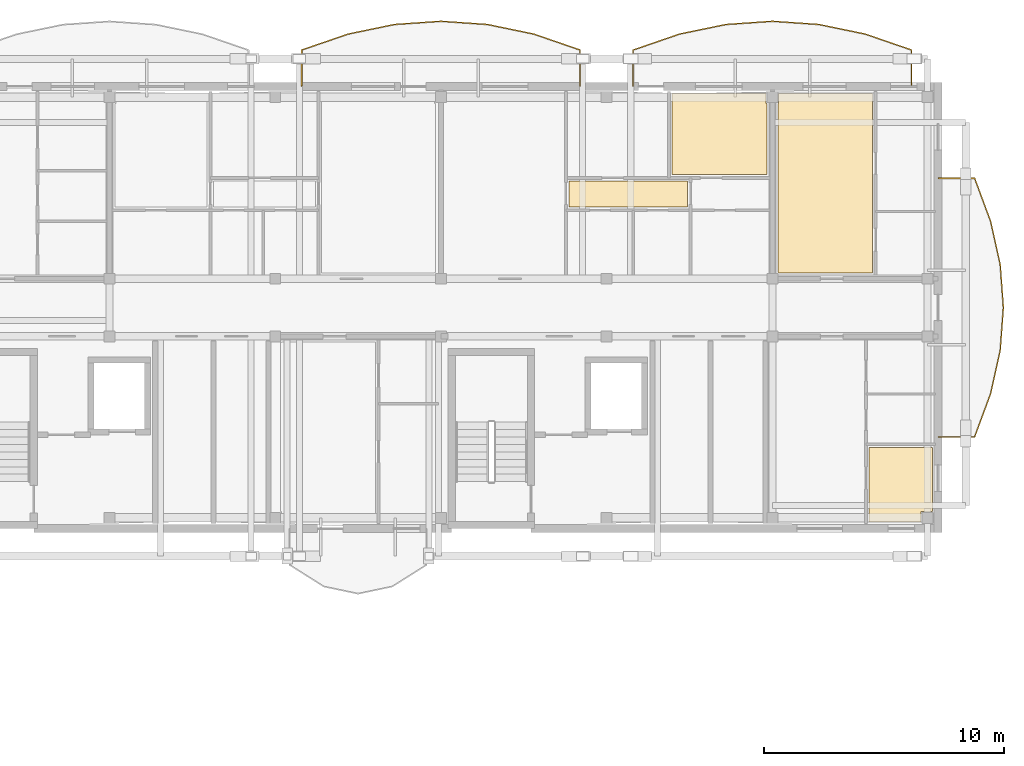
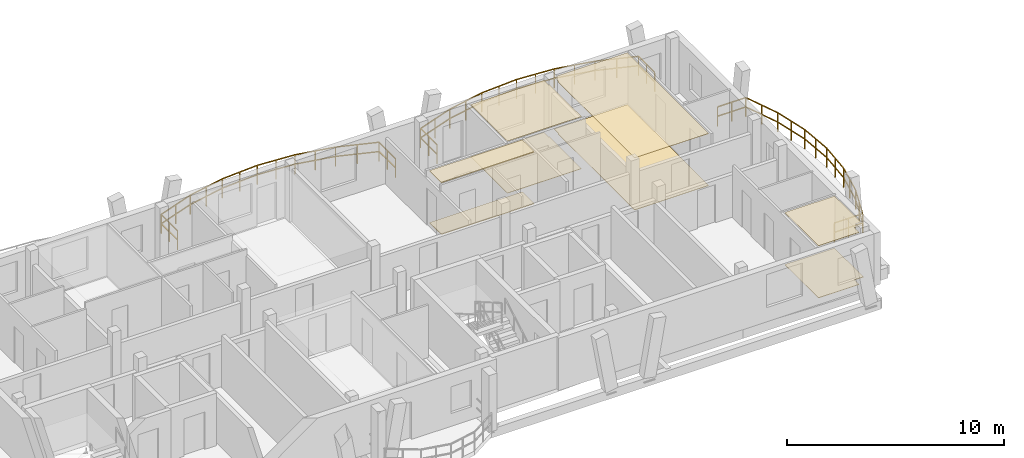
# One storey, part 44 of 44: 8 coverings, 3 railings.
"""IFC4 building model written with IfcOpenShell, lengths in metres."""

from ifc_helpers import new_model, si_unit, direction, frame, origin, origin_2d, place, context, subcontext, project, spatial, polyline, rectangle, outline, extrude, material, layer, layer_set, type_object, element, save


model = new_model("IFC4")

# Units and contexts
model_context = context("Model", 3, precision=1e-05, world=origin(), true_north=direction((0.0, 1.0)))
body_context = subcontext(model_context, "Body", "Model", "MODEL_VIEW")
ifc_project = project(units=[si_unit("LENGTHUNIT", "METRE"), si_unit("AREAUNIT", "SQUARE_METRE"), si_unit("VOLUMEUNIT", "CUBIC_METRE"), si_unit("PLANEANGLEUNIT", "RADIAN"), si_unit("MASSUNIT", "GRAM", prefix="KILO")], contexts=[model_context])

# Site, building, storey
site_placement = place(None, origin())
site = spatial("IfcSite", under=ifc_project, at=site_placement, CompositionType="ELEMENT")
building_placement = place(site_placement, origin())
building = spatial("IfcBuilding", under=site, at=building_placement, Name="Zavelmont Quarter", CompositionType="ELEMENT")
storey_placement = place(building_placement, frame((0.0, 0.0, 20.800048828125)))
storey = spatial("IfcBuildingStorey", under=building, at=storey_placement, Name="L06", CompositionType="ELEMENT", Elevation=20.800048828125)

# Coverings
ifc_material_1 = material(Name="Perforated acoustic gypsum board")
ifc_layer_1 = layer(ifc_material_1, 0.02490234375)
ifc_layer_set_1 = layer_set([ifc_layer_1], Name="Perforated acoustic gypsum board")
covering_type_1 = type_object("IfcCoveringType", Name="CV-CL01", PredefinedType="CEILING", material=ifc_layer_set_1)
covering_1_placement = place(storey_placement, frame((0.0, 0.0, 2.925048828125)))
element("IfcCovering", 1, at=covering_1_placement, inside=storey, type_object=covering_type_1, Name="L06 Double Bedroom acoustic ceiling", PredefinedType="CEILING", context=body_context, shape_type="SweptSolid", body=[
    extrude(outline(polyline([(156.929931640625, 115.719970703125), (160.8349609375, 115.719970703125), (160.8349609375, 115.294921875), (160.8701171875, 115.294921875), (160.8701171875, 112.330078125), (156.929931640625, 112.330078125), (156.929931640625, 115.719970703125)])), origin(), (0.0, 0.0, 1.0), 0.02490234375),
])
covering_2_placement = place(storey_placement, frame((0.0, 0.0, 2.925048828125)))
element("IfcCovering", 2, at=covering_2_placement, inside=storey, type_object=covering_type_1, Name="L06 Residents Study Lounge acoustic ceiling", PredefinedType="CEILING", context=body_context, shape_type="SweptSolid", body=[
    extrude(outline(polyline([(161.330078125, 115.294921875), (161.364990234375, 115.294921875), (161.364990234375, 115.719970703125), (165.27001953125, 115.719970703125), (165.27001953125, 108.22998046875), (161.364990234375, 108.22998046875), (161.364990234375, 108.264892578125), (161.330078125, 108.264892578125), (161.330078125, 115.294921875)])), origin(), (0.0, 0.0, 1.0), 0.02490234375),
])
covering_3_placement = place(storey_placement, frame((0.0, 0.0, 2.925048828125)))
element("IfcCovering", 3, at=covering_3_placement, inside=storey, type_object=covering_type_1, Name="L06 Single Bedroom acoustic ceiling", PredefinedType="CEILING", context=body_context, shape_type="SweptSolid", body=[
    extrude(outline(polyline([(165.1298828125, 100.969970703125), (167.77001953125, 100.969970703125), (167.77001953125, 98.304931640625), (167.294921875, 98.304931640625), (167.294921875, 97.8798828125), (165.1298828125, 97.8798828125), (165.1298828125, 100.969970703125)])), origin(), (0.0, 0.0, 1.0), 0.02490234375),
])
ifc_material_2 = material(Name="Slatted European ash acoustic baffle ceiling")
ifc_layer_2 = layer(ifc_material_2, 0.0400390625)
ifc_layer_set_2 = layer_set([ifc_layer_2], Name="Slatted European ash acoustic baffle ceiling")
covering_type_2 = type_object("IfcCoveringType", Name="CV-CL02", PredefinedType="CEILING", material=ifc_layer_set_2)
covering_4_placement = place(storey_placement, frame((0.0, 0.0, 2.909912109375)))
element("IfcCovering", 4, at=covering_4_placement, inside=storey, type_object=covering_type_2, Name="L06 Apartment Hall acoustic ceiling", PredefinedType="CEILING", context=body_context, shape_type="SweptSolid", body=[
    extrude(outline(polyline([(152.6298828125, 112.070068359375), (157.570068359375, 112.070068359375), (157.570068359375, 110.97998046875), (152.6298828125, 110.97998046875), (152.6298828125, 112.070068359375)])), origin(), (0.0, 0.0, 1.0), 0.0400390625),
])
ifc_material_3 = material(Name="Engineered European oak parquet")
ifc_layer_3 = layer(ifc_material_3, 0.02197265625)
ifc_layer_set_3 = layer_set([ifc_layer_3], Name="Engineered European oak parquet")
covering_type_3 = type_object("IfcCoveringType", Name="CV-FL01", PredefinedType="FLOORING", material=ifc_layer_set_3)
covering_5_placement = place(storey_placement, origin())
element("IfcCovering", 5, at=covering_5_placement, inside=storey, type_object=covering_type_3, Name="L06 Double Bedroom floor finish", PredefinedType="FLOORING", context=body_context, shape_type="SweptSolid", body=[
    extrude(outline(polyline([(156.929931640625, 115.719970703125), (160.8349609375, 115.719970703125), (160.8349609375, 115.294921875), (160.8701171875, 115.294921875), (160.8701171875, 112.330078125), (156.929931640625, 112.330078125), (156.929931640625, 115.719970703125)])), origin(), (0.0, 0.0, 1.0), 0.02197265625),
])
covering_6_placement = place(storey_placement, origin())
element("IfcCovering", 6, at=covering_6_placement, inside=storey, type_object=covering_type_3, Name="L06 Residents Study Lounge floor finish", PredefinedType="FLOORING", context=body_context, shape_type="SweptSolid", body=[
    extrude(outline(polyline([(161.330078125, 115.294921875), (161.364990234375, 115.294921875), (161.364990234375, 115.719970703125), (165.27001953125, 115.719970703125), (165.27001953125, 108.22998046875), (161.364990234375, 108.22998046875), (161.364990234375, 108.264892578125), (161.330078125, 108.264892578125), (161.330078125, 115.294921875)])), origin(), (0.0, 0.0, 1.0), 0.02197265625),
])
covering_7_placement = place(storey_placement, origin())
element("IfcCovering", 7, at=covering_7_placement, inside=storey, type_object=covering_type_3, Name="L06 Single Bedroom floor finish", PredefinedType="FLOORING", context=body_context, shape_type="SweptSolid", body=[
    extrude(outline(polyline([(165.1298828125, 100.969970703125), (167.77001953125, 100.969970703125), (167.77001953125, 98.304931640625), (167.294921875, 98.304931640625), (167.294921875, 97.8798828125), (165.1298828125, 97.8798828125), (165.1298828125, 100.969970703125)])), origin(), (0.0, 0.0, 1.0), 0.02197265625),
])
ifc_material_4 = material(Name="Honed Belgian bluestone tile", Category="masonry")
ifc_layer_4 = layer(ifc_material_4, 0.030029296875)
ifc_layer_set_4 = layer_set([ifc_layer_4], Name="Honed Belgian bluestone tile")
covering_type_4 = type_object("IfcCoveringType", Name="CV-FL02", PredefinedType="FLOORING", material=ifc_layer_set_4)
covering_8_placement = place(storey_placement, origin())
element("IfcCovering", 8, at=covering_8_placement, inside=storey, type_object=covering_type_4, Name="L06 Apartment Hall floor finish", PredefinedType="FLOORING", context=body_context, shape_type="SweptSolid", body=[
    extrude(outline(polyline([(152.6298828125, 112.070068359375), (157.570068359375, 112.070068359375), (157.570068359375, 110.97998046875), (152.6298828125, 110.97998046875), (152.6298828125, 112.070068359375)])), origin(), (0.0, 0.0, 1.0), 0.030029296875),
])

# Railings
ifc_material_5 = material(Name="Powder-coated steel and tempered double safety glass", Category="steel")
railing_type = type_object("IfcRailingType", Name="RL-BAL1", PredefinedType="BALUSTRADE", material=ifc_material_5)
railing_1_placement = place(storey_placement, frame((153.09619140625, 116.02001953125, 0.0)))
element("IfcRailing", 9, at=railing_1_placement, inside=storey, type_object=railing_type, Name="L06 Block C curved balcony guard RL-BAL1", PredefinedType="BALUSTRADE", context=body_context, shape_type="SweptSolid", body=[
    extrude(rectangle(XDim=0.048095703125, YDim=0.048095703125, at=origin_2d()), frame((0.0, 0.0, 1.076171875), z_axis=(0.0, 1.0, 0.0), x_axis=(-1.0, 0.0, 0.0)), (0.0, 0.0, 1.0), 1.503662109375),
    extrude(rectangle(XDim=0.048095703125, YDim=0.048095703125, at=origin_2d()), frame((0.0, 0.0, 0.550048828125), z_axis=(0.0, 1.0, 0.0), x_axis=(-1.0, 0.0, 0.0)), (0.0, 0.0, 1.0), 1.503662109375),
    extrude(rectangle(XDim=0.048095703125, YDim=0.048095703125, at=origin_2d()), frame((0.0, 1.503662109375, 1.076171875), z_axis=(-0.945518896727, 0.325567221832, 0.0), x_axis=(-0.325567221832, -0.945518896727, 0.0)), (0.0, 0.0, 1.0), 2.04345703125),
    extrude(rectangle(XDim=0.048095703125, YDim=0.048095703125, at=origin_2d()), frame((0.0, 1.503662109375, 0.550048828125), z_axis=(-0.945518896727, 0.325567221832, 0.0), x_axis=(-0.325567221832, -0.945518896727, 0.0)), (0.0, 0.0, 1.0), 2.04345703125),
    extrude(rectangle(XDim=0.048095703125, YDim=0.048095703125, at=origin_2d()), frame((-1.93212890625, 2.1689453125, 1.076171875), z_axis=(-0.979343306548, 0.202204569484, 0.0), x_axis=(-0.202204569484, -0.979343306548, 0.0)), (0.0, 0.0, 1.0), 1.972900390625),
    extrude(rectangle(XDim=0.048095703125, YDim=0.048095703125, at=origin_2d()), frame((-1.93212890625, 2.1689453125, 0.550048828125), z_axis=(-0.979343306548, 0.202204569484, 0.0), x_axis=(-0.202204569484, -0.979343306548, 0.0)), (0.0, 0.0, 1.0), 1.972900390625),
    extrude(rectangle(XDim=0.048095703125, YDim=0.048095703125, at=origin_2d()), frame((-3.8642578125, 2.56787109375, 1.076171875), z_axis=(-0.997636590767, 0.068711227343, 0.0), x_axis=(-0.068711227343, -0.997636590767, 0.0)), (0.0, 0.0, 1.0), 1.9365234375),
    extrude(rectangle(XDim=0.048095703125, YDim=0.048095703125, at=origin_2d()), frame((-3.8642578125, 2.56787109375, 0.550048828125), z_axis=(-0.997636590767, 0.068711227343, 0.0), x_axis=(-0.068711227343, -0.997636590767, 0.0)), (0.0, 0.0, 1.0), 1.9365234375),
    extrude(rectangle(XDim=0.048095703125, YDim=0.048095703125, at=origin_2d()), frame((-5.796142578125, 2.700927734375, 1.076171875), z_axis=(-0.997637185887, -0.068702586089, 0.0), x_axis=(0.068702586089, -0.997637185887, 0.0)), (0.0, 0.0, 1.0), 1.936767578125),
    extrude(rectangle(XDim=0.048095703125, YDim=0.048095703125, at=origin_2d()), frame((-5.796142578125, 2.700927734375, 0.550048828125), z_axis=(-0.997637185887, -0.068702586089, 0.0), x_axis=(0.068702586089, -0.997637185887, 0.0)), (0.0, 0.0, 1.0), 1.936767578125),
    extrude(rectangle(XDim=0.048095703125, YDim=0.048095703125, at=origin_2d()), frame((-7.728271484375, 2.56787109375, 1.076171875), z_axis=(-0.979343306548, -0.202204569484, 0.0), x_axis=(0.202204569484, -0.979343306548, 0.0)), (0.0, 0.0, 1.0), 1.972900390625),
    extrude(rectangle(XDim=0.048095703125, YDim=0.048095703125, at=origin_2d()), frame((-7.728271484375, 2.56787109375, 0.550048828125), z_axis=(-0.979343306548, -0.202204569484, 0.0), x_axis=(0.202204569484, -0.979343306548, 0.0)), (0.0, 0.0, 1.0), 1.972900390625),
    extrude(rectangle(XDim=0.048095703125, YDim=0.048095703125, at=origin_2d()), frame((-9.660400390625, 2.1689453125, 1.076171875), z_axis=(-0.94550623103, -0.325604003482, 0.0), x_axis=(0.325604003482, -0.94550623103, 0.0)), (0.0, 0.0, 1.0), 2.043212890625),
    extrude(rectangle(XDim=0.048095703125, YDim=0.048095703125, at=origin_2d()), frame((-9.660400390625, 2.1689453125, 0.550048828125), z_axis=(-0.94550623103, -0.325604003482, 0.0), x_axis=(0.325604003482, -0.94550623103, 0.0)), (0.0, 0.0, 1.0), 2.043212890625),
    extrude(rectangle(XDim=0.048095703125, YDim=0.048095703125, at=origin_2d()), frame((-11.59228515625, 1.503662109375, 1.076171875), z_axis=(0.0, -1.0, 0.0), x_axis=(1.0, 0.0, 0.0)), (0.0, 0.0, 1.0), 1.503662109375),
    extrude(rectangle(XDim=0.048095703125, YDim=0.048095703125, at=origin_2d()), frame((-11.59228515625, 1.503662109375, 0.550048828125), z_axis=(0.0, -1.0, 0.0), x_axis=(1.0, 0.0, 0.0)), (0.0, 0.0, 1.0), 1.503662109375),
    extrude(rectangle(XDim=0.0419921875, YDim=0.0419921875, at=origin_2d()), origin(), (0.0, 0.0, 1.0), 1.052001953125),
    extrude(rectangle(XDim=0.0419921875, YDim=0.0419921875, at=origin_2d()), frame((0.0, 0.751953125, 0.0)), (0.0, 0.0, 1.0), 1.052001953125),
    extrude(rectangle(XDim=0.0419921875, YDim=0.0419921875, at=origin_2d()), frame((0.0, 1.503662109375, 0.0)), (0.0, 0.0, 1.0), 1.052001953125),
    extrude(rectangle(XDim=0.0419921875, YDim=0.0419921875, at=origin_2d()), frame((-0.966064453125, 1.83642578125, 0.0)), (0.0, 0.0, 1.0), 1.052001953125),
    extrude(rectangle(XDim=0.0419921875, YDim=0.0419921875, at=origin_2d()), frame((-1.93212890625, 2.1689453125, 0.0)), (0.0, 0.0, 1.0), 1.052001953125),
    extrude(rectangle(XDim=0.0419921875, YDim=0.0419921875, at=origin_2d()), frame((-2.898193359375, 2.368408203125, 0.0)), (0.0, 0.0, 1.0), 1.052001953125),
    extrude(rectangle(XDim=0.0419921875, YDim=0.0419921875, at=origin_2d()), frame((-3.8642578125, 2.56787109375, 0.0)), (0.0, 0.0, 1.0), 1.052001953125),
    extrude(rectangle(XDim=0.0419921875, YDim=0.0419921875, at=origin_2d()), frame((-4.830078125, 2.63427734375, 0.0)), (0.0, 0.0, 1.0), 1.052001953125),
    extrude(rectangle(XDim=0.0419921875, YDim=0.0419921875, at=origin_2d()), frame((-5.796142578125, 2.700927734375, 0.0)), (0.0, 0.0, 1.0), 1.052001953125),
    extrude(rectangle(XDim=0.0419921875, YDim=0.0419921875, at=origin_2d()), frame((-6.76220703125, 2.63427734375, 0.0)), (0.0, 0.0, 1.0), 1.052001953125),
    extrude(rectangle(XDim=0.0419921875, YDim=0.0419921875, at=origin_2d()), frame((-7.728271484375, 2.56787109375, 0.0)), (0.0, 0.0, 1.0), 1.052001953125),
    extrude(rectangle(XDim=0.0419921875, YDim=0.0419921875, at=origin_2d()), frame((-8.6943359375, 2.368408203125, 0.0)), (0.0, 0.0, 1.0), 1.052001953125),
    extrude(rectangle(XDim=0.0419921875, YDim=0.0419921875, at=origin_2d()), frame((-9.660400390625, 2.1689453125, 0.0)), (0.0, 0.0, 1.0), 1.052001953125),
    extrude(rectangle(XDim=0.0419921875, YDim=0.0419921875, at=origin_2d()), frame((-10.62646484375, 1.83642578125, 0.0)), (0.0, 0.0, 1.0), 1.052001953125),
    extrude(rectangle(XDim=0.0419921875, YDim=0.0419921875, at=origin_2d()), frame((-11.59228515625, 1.503662109375, 0.0)), (0.0, 0.0, 1.0), 1.052001953125),
    extrude(rectangle(XDim=0.0419921875, YDim=0.0419921875, at=origin_2d()), frame((-11.59228515625, 0.751953125, 0.0)), (0.0, 0.0, 1.0), 1.052001953125),
    extrude(rectangle(XDim=0.0419921875, YDim=0.0419921875, at=origin_2d()), frame((-11.59228515625, 0.0, 0.0)), (0.0, 0.0, 1.0), 1.052001953125),
])
railing_2_placement = place(storey_placement, frame((166.89599609375, 116.02001953125, 0.0)))
element("IfcRailing", 10, at=railing_2_placement, inside=storey, type_object=railing_type, Name="L06 Block C curved balcony guard RL-BAL1", PredefinedType="BALUSTRADE", context=body_context, shape_type="SweptSolid", body=[
    extrude(rectangle(XDim=0.048095703125, YDim=0.048095703125, at=origin_2d()), frame((0.0, 0.0, 1.076171875), z_axis=(0.0, 1.0, 0.0), x_axis=(-1.0, 0.0, 0.0)), (0.0, 0.0, 1.0), 1.503662109375),
    extrude(rectangle(XDim=0.048095703125, YDim=0.048095703125, at=origin_2d()), frame((0.0, 0.0, 0.550048828125), z_axis=(0.0, 1.0, 0.0), x_axis=(-1.0, 0.0, 0.0)), (0.0, 0.0, 1.0), 1.503662109375),
    extrude(rectangle(XDim=0.048095703125, YDim=0.048095703125, at=origin_2d()), frame((0.0, 1.503662109375, 1.076171875), z_axis=(-0.94550623103, 0.325604003482, 0.0), x_axis=(-0.325604003482, -0.94550623103, 0.0)), (0.0, 0.0, 1.0), 2.043212890625),
    extrude(rectangle(XDim=0.048095703125, YDim=0.048095703125, at=origin_2d()), frame((0.0, 1.503662109375, 0.550048828125), z_axis=(-0.94550623103, 0.325604003482, 0.0), x_axis=(-0.325604003482, -0.94550623103, 0.0)), (0.0, 0.0, 1.0), 2.043212890625),
    extrude(rectangle(XDim=0.048095703125, YDim=0.048095703125, at=origin_2d()), frame((-1.931884765625, 2.1689453125, 1.076171875), z_axis=(-0.979343306548, 0.202204569484, 0.0), x_axis=(-0.202204569484, -0.979343306548, 0.0)), (0.0, 0.0, 1.0), 1.972900390625),
    extrude(rectangle(XDim=0.048095703125, YDim=0.048095703125, at=origin_2d()), frame((-1.931884765625, 2.1689453125, 0.550048828125), z_axis=(-0.979343306548, 0.202204569484, 0.0), x_axis=(-0.202204569484, -0.979343306548, 0.0)), (0.0, 0.0, 1.0), 1.972900390625),
    extrude(rectangle(XDim=0.048095703125, YDim=0.048095703125, at=origin_2d()), frame((-3.864013671875, 2.56787109375, 1.076171875), z_axis=(-0.997636590767, 0.068711227343, 0.0), x_axis=(-0.068711227343, -0.997636590767, 0.0)), (0.0, 0.0, 1.0), 1.9365234375),
    extrude(rectangle(XDim=0.048095703125, YDim=0.048095703125, at=origin_2d()), frame((-3.864013671875, 2.56787109375, 0.550048828125), z_axis=(-0.997636590767, 0.068711227343, 0.0), x_axis=(-0.068711227343, -0.997636590767, 0.0)), (0.0, 0.0, 1.0), 1.9365234375),
    extrude(rectangle(XDim=0.048095703125, YDim=0.048095703125, at=origin_2d()), frame((-5.7958984375, 2.700927734375, 1.076171875), z_axis=(-0.997637185887, -0.068702586089, 0.0), x_axis=(0.068702586089, -0.997637185887, 0.0)), (0.0, 0.0, 1.0), 1.936767578125),
    extrude(rectangle(XDim=0.048095703125, YDim=0.048095703125, at=origin_2d()), frame((-5.7958984375, 2.700927734375, 0.550048828125), z_axis=(-0.997637185887, -0.068702586089, 0.0), x_axis=(0.068702586089, -0.997637185887, 0.0)), (0.0, 0.0, 1.0), 1.936767578125),
    extrude(rectangle(XDim=0.048095703125, YDim=0.048095703125, at=origin_2d()), frame((-7.72802734375, 2.56787109375, 1.076171875), z_axis=(-0.979343306548, -0.202204569484, 0.0), x_axis=(0.202204569484, -0.979343306548, 0.0)), (0.0, 0.0, 1.0), 1.972900390625),
    extrude(rectangle(XDim=0.048095703125, YDim=0.048095703125, at=origin_2d()), frame((-7.72802734375, 2.56787109375, 0.550048828125), z_axis=(-0.979343306548, -0.202204569484, 0.0), x_axis=(0.202204569484, -0.979343306548, 0.0)), (0.0, 0.0, 1.0), 1.972900390625),
    extrude(rectangle(XDim=0.048095703125, YDim=0.048095703125, at=origin_2d()), frame((-9.66015625, 2.1689453125, 1.076171875), z_axis=(-0.94550623103, -0.325604003482, 0.0), x_axis=(0.325604003482, -0.94550623103, 0.0)), (0.0, 0.0, 1.0), 2.043212890625),
    extrude(rectangle(XDim=0.048095703125, YDim=0.048095703125, at=origin_2d()), frame((-9.66015625, 2.1689453125, 0.550048828125), z_axis=(-0.94550623103, -0.325604003482, 0.0), x_axis=(0.325604003482, -0.94550623103, 0.0)), (0.0, 0.0, 1.0), 2.043212890625),
    extrude(rectangle(XDim=0.048095703125, YDim=0.048095703125, at=origin_2d()), frame((-11.592041015625, 1.503662109375, 1.076171875), z_axis=(0.0, -1.0, 0.0), x_axis=(1.0, 0.0, 0.0)), (0.0, 0.0, 1.0), 1.503662109375),
    extrude(rectangle(XDim=0.048095703125, YDim=0.048095703125, at=origin_2d()), frame((-11.592041015625, 1.503662109375, 0.550048828125), z_axis=(0.0, -1.0, 0.0), x_axis=(1.0, 0.0, 0.0)), (0.0, 0.0, 1.0), 1.503662109375),
    extrude(rectangle(XDim=0.0419921875, YDim=0.0419921875, at=origin_2d()), origin(), (0.0, 0.0, 1.0), 1.052001953125),
    extrude(rectangle(XDim=0.0419921875, YDim=0.0419921875, at=origin_2d()), frame((0.0, 0.751953125, 0.0)), (0.0, 0.0, 1.0), 1.052001953125),
    extrude(rectangle(XDim=0.0419921875, YDim=0.0419921875, at=origin_2d()), frame((0.0, 1.503662109375, 0.0)), (0.0, 0.0, 1.0), 1.052001953125),
    extrude(rectangle(XDim=0.0419921875, YDim=0.0419921875, at=origin_2d()), frame((-0.9658203125, 1.83642578125, 0.0)), (0.0, 0.0, 1.0), 1.052001953125),
    extrude(rectangle(XDim=0.0419921875, YDim=0.0419921875, at=origin_2d()), frame((-1.931884765625, 2.1689453125, 0.0)), (0.0, 0.0, 1.0), 1.052001953125),
    extrude(rectangle(XDim=0.0419921875, YDim=0.0419921875, at=origin_2d()), frame((-2.89794921875, 2.368408203125, 0.0)), (0.0, 0.0, 1.0), 1.052001953125),
    extrude(rectangle(XDim=0.0419921875, YDim=0.0419921875, at=origin_2d()), frame((-3.864013671875, 2.56787109375, 0.0)), (0.0, 0.0, 1.0), 1.052001953125),
    extrude(rectangle(XDim=0.0419921875, YDim=0.0419921875, at=origin_2d()), frame((-4.830078125, 2.63427734375, 0.0)), (0.0, 0.0, 1.0), 1.052001953125),
    extrude(rectangle(XDim=0.0419921875, YDim=0.0419921875, at=origin_2d()), frame((-5.7958984375, 2.700927734375, 0.0)), (0.0, 0.0, 1.0), 1.052001953125),
    extrude(rectangle(XDim=0.0419921875, YDim=0.0419921875, at=origin_2d()), frame((-6.761962890625, 2.63427734375, 0.0)), (0.0, 0.0, 1.0), 1.052001953125),
    extrude(rectangle(XDim=0.0419921875, YDim=0.0419921875, at=origin_2d()), frame((-7.72802734375, 2.56787109375, 0.0)), (0.0, 0.0, 1.0), 1.052001953125),
    extrude(rectangle(XDim=0.0419921875, YDim=0.0419921875, at=origin_2d()), frame((-8.694091796875, 2.368408203125, 0.0)), (0.0, 0.0, 1.0), 1.052001953125),
    extrude(rectangle(XDim=0.0419921875, YDim=0.0419921875, at=origin_2d()), frame((-9.66015625, 2.1689453125, 0.0)), (0.0, 0.0, 1.0), 1.052001953125),
    extrude(rectangle(XDim=0.0419921875, YDim=0.0419921875, at=origin_2d()), frame((-10.6259765625, 1.83642578125, 0.0)), (0.0, 0.0, 1.0), 1.052001953125),
    extrude(rectangle(XDim=0.0419921875, YDim=0.0419921875, at=origin_2d()), frame((-11.592041015625, 1.503662109375, 0.0)), (0.0, 0.0, 1.0), 1.052001953125),
    extrude(rectangle(XDim=0.0419921875, YDim=0.0419921875, at=origin_2d()), frame((-11.592041015625, 0.751953125, 0.0)), (0.0, 0.0, 1.0), 1.052001953125),
    extrude(rectangle(XDim=0.0419921875, YDim=0.0419921875, at=origin_2d()), frame((-11.592041015625, 0.0, 0.0)), (0.0, 0.0, 1.0), 1.052001953125),
])
railing_3_placement = place(storey_placement, frame((168.02001953125, 101.416015625, 0.0)))
element("IfcRailing", 11, at=railing_3_placement, inside=storey, type_object=railing_type, Name="L06 Block C curved balcony guard RL-BAL1", PredefinedType="BALUSTRADE", context=body_context, shape_type="SweptSolid", body=[
    extrude(rectangle(XDim=0.048095703125, YDim=0.048095703125, at=origin_2d()), frame((0.0, 0.0, 1.076171875), z_axis=(1.0, 0.0, 0.0), x_axis=(0.0, 1.0, 0.0)), (0.0, 0.0, 1.0), 1.503662109375),
    extrude(rectangle(XDim=0.048095703125, YDim=0.048095703125, at=origin_2d()), frame((0.0, 0.0, 0.550048828125), z_axis=(1.0, 0.0, 0.0), x_axis=(0.0, 1.0, 0.0)), (0.0, 0.0, 1.0), 1.503662109375),
    extrude(rectangle(XDim=0.048095703125, YDim=0.048095703125, at=origin_2d()), frame((1.503662109375, 0.0, 1.076171875), z_axis=(0.347584374105, 0.937648709741, 0.0), x_axis=(-0.937648709741, 0.347584374105, 0.0)), (0.0, 0.0, 1.0), 1.9140625),
    extrude(rectangle(XDim=0.048095703125, YDim=0.048095703125, at=origin_2d()), frame((1.503662109375, 0.0, 0.550048828125), z_axis=(0.347584374105, 0.937648709741, 0.0), x_axis=(-0.937648709741, 0.347584374105, 0.0)), (0.0, 0.0, 1.0), 1.9140625),
    extrude(rectangle(XDim=0.048095703125, YDim=0.048095703125, at=origin_2d()), frame((2.1689453125, 1.794677734375, 1.076171875), z_axis=(0.216986699961, 0.97617456023, 0.0), x_axis=(-0.97617456023, 0.216986699961, 0.0)), (0.0, 0.0, 1.0), 1.83837890625),
    extrude(rectangle(XDim=0.048095703125, YDim=0.048095703125, at=origin_2d()), frame((2.1689453125, 1.794677734375, 0.550048828125), z_axis=(0.216986699961, 0.97617456023, 0.0), x_axis=(-0.97617456023, 0.216986699961, 0.0)), (0.0, 0.0, 1.0), 1.83837890625),
    extrude(rectangle(XDim=0.048095703125, YDim=0.048095703125, at=origin_2d()), frame((2.56787109375, 3.58935546875, 1.076171875), z_axis=(0.073936648407, 0.997262940263, 0.0), x_axis=(-0.997262940263, 0.073936648407, 0.0)), (0.0, 0.0, 1.0), 1.799560546875),
    extrude(rectangle(XDim=0.048095703125, YDim=0.048095703125, at=origin_2d()), frame((2.56787109375, 3.58935546875, 0.550048828125), z_axis=(0.073936648407, 0.997262940263, 0.0), x_axis=(-0.997262940263, 0.073936648407, 0.0)), (0.0, 0.0, 1.0), 1.799560546875),
    extrude(rectangle(XDim=0.048095703125, YDim=0.048095703125, at=origin_2d()), frame((2.700927734375, 5.384033203125, 1.076171875), z_axis=(-0.073936648407, 0.997262940263, 0.0), x_axis=(-0.997262940263, -0.073936648407, 0.0)), (0.0, 0.0, 1.0), 1.799560546875),
    extrude(rectangle(XDim=0.048095703125, YDim=0.048095703125, at=origin_2d()), frame((2.700927734375, 5.384033203125, 0.550048828125), z_axis=(-0.073936648407, 0.997262940263, 0.0), x_axis=(-0.997262940263, -0.073936648407, 0.0)), (0.0, 0.0, 1.0), 1.799560546875),
    extrude(rectangle(XDim=0.048095703125, YDim=0.048095703125, at=origin_2d()), frame((2.56787109375, 7.1787109375, 1.076171875), z_axis=(-0.216986699961, 0.97617456023, 0.0), x_axis=(-0.97617456023, -0.216986699961, 0.0)), (0.0, 0.0, 1.0), 1.83837890625),
    extrude(rectangle(XDim=0.048095703125, YDim=0.048095703125, at=origin_2d()), frame((2.56787109375, 7.1787109375, 0.550048828125), z_axis=(-0.216986699961, 0.97617456023, 0.0), x_axis=(-0.97617456023, -0.216986699961, 0.0)), (0.0, 0.0, 1.0), 1.83837890625),
    extrude(rectangle(XDim=0.048095703125, YDim=0.048095703125, at=origin_2d()), frame((2.1689453125, 8.973388671875, 1.076171875), z_axis=(-0.347584374105, 0.937648709741, 0.0), x_axis=(-0.937648709741, -0.347584374105, 0.0)), (0.0, 0.0, 1.0), 1.9140625),
    extrude(rectangle(XDim=0.048095703125, YDim=0.048095703125, at=origin_2d()), frame((2.1689453125, 8.973388671875, 0.550048828125), z_axis=(-0.347584374105, 0.937648709741, 0.0), x_axis=(-0.937648709741, -0.347584374105, 0.0)), (0.0, 0.0, 1.0), 1.9140625),
    extrude(rectangle(XDim=0.048095703125, YDim=0.048095703125, at=origin_2d()), frame((1.503662109375, 10.76806640625, 1.076171875), z_axis=(-1.0, 0.0, 0.0), x_axis=(0.0, -1.0, 0.0)), (0.0, 0.0, 1.0), 1.503662109375),
    extrude(rectangle(XDim=0.048095703125, YDim=0.048095703125, at=origin_2d()), frame((1.503662109375, 10.76806640625, 0.550048828125), z_axis=(-1.0, 0.0, 0.0), x_axis=(0.0, -1.0, 0.0)), (0.0, 0.0, 1.0), 1.503662109375),
    extrude(rectangle(XDim=0.0419921875, YDim=0.0419921875, at=origin_2d()), origin(), (0.0, 0.0, 1.0), 1.052001953125),
    extrude(rectangle(XDim=0.0419921875, YDim=0.0419921875, at=origin_2d()), frame((0.751953125, 0.0, 0.0)), (0.0, 0.0, 1.0), 1.052001953125),
    extrude(rectangle(XDim=0.0419921875, YDim=0.0419921875, at=origin_2d()), frame((1.503662109375, 0.0, 0.0)), (0.0, 0.0, 1.0), 1.052001953125),
    extrude(rectangle(XDim=0.0419921875, YDim=0.0419921875, at=origin_2d()), frame((1.83642578125, 0.8974609375, 0.0)), (0.0, 0.0, 1.0), 1.052001953125),
    extrude(rectangle(XDim=0.0419921875, YDim=0.0419921875, at=origin_2d()), frame((2.1689453125, 1.794677734375, 0.0)), (0.0, 0.0, 1.0), 1.052001953125),
    extrude(rectangle(XDim=0.0419921875, YDim=0.0419921875, at=origin_2d()), frame((2.368408203125, 2.69189453125, 0.0)), (0.0, 0.0, 1.0), 1.052001953125),
    extrude(rectangle(XDim=0.0419921875, YDim=0.0419921875, at=origin_2d()), frame((2.56787109375, 3.58935546875, 0.0)), (0.0, 0.0, 1.0), 1.052001953125),
    extrude(rectangle(XDim=0.0419921875, YDim=0.0419921875, at=origin_2d()), frame((2.63427734375, 4.48681640625, 0.0)), (0.0, 0.0, 1.0), 1.052001953125),
    extrude(rectangle(XDim=0.0419921875, YDim=0.0419921875, at=origin_2d()), frame((2.700927734375, 5.384033203125, 0.0)), (0.0, 0.0, 1.0), 1.052001953125),
    extrude(rectangle(XDim=0.0419921875, YDim=0.0419921875, at=origin_2d()), frame((2.63427734375, 6.28125, 0.0)), (0.0, 0.0, 1.0), 1.052001953125),
    extrude(rectangle(XDim=0.0419921875, YDim=0.0419921875, at=origin_2d()), frame((2.56787109375, 7.1787109375, 0.0)), (0.0, 0.0, 1.0), 1.052001953125),
    extrude(rectangle(XDim=0.0419921875, YDim=0.0419921875, at=origin_2d()), frame((2.368408203125, 8.076171875, 0.0)), (0.0, 0.0, 1.0), 1.052001953125),
    extrude(rectangle(XDim=0.0419921875, YDim=0.0419921875, at=origin_2d()), frame((2.1689453125, 8.973388671875, 0.0)), (0.0, 0.0, 1.0), 1.052001953125),
    extrude(rectangle(XDim=0.0419921875, YDim=0.0419921875, at=origin_2d()), frame((1.83642578125, 9.87060546875, 0.0)), (0.0, 0.0, 1.0), 1.052001953125),
    extrude(rectangle(XDim=0.0419921875, YDim=0.0419921875, at=origin_2d()), frame((1.503662109375, 10.76806640625, 0.0)), (0.0, 0.0, 1.0), 1.052001953125),
    extrude(rectangle(XDim=0.0419921875, YDim=0.0419921875, at=origin_2d()), frame((0.751953125, 10.76806640625, 0.0)), (0.0, 0.0, 1.0), 1.052001953125),
    extrude(rectangle(XDim=0.0419921875, YDim=0.0419921875, at=origin_2d()), frame((0.0, 10.76806640625, 0.0)), (0.0, 0.0, 1.0), 1.052001953125),
])

save(model, "model.ifc")
